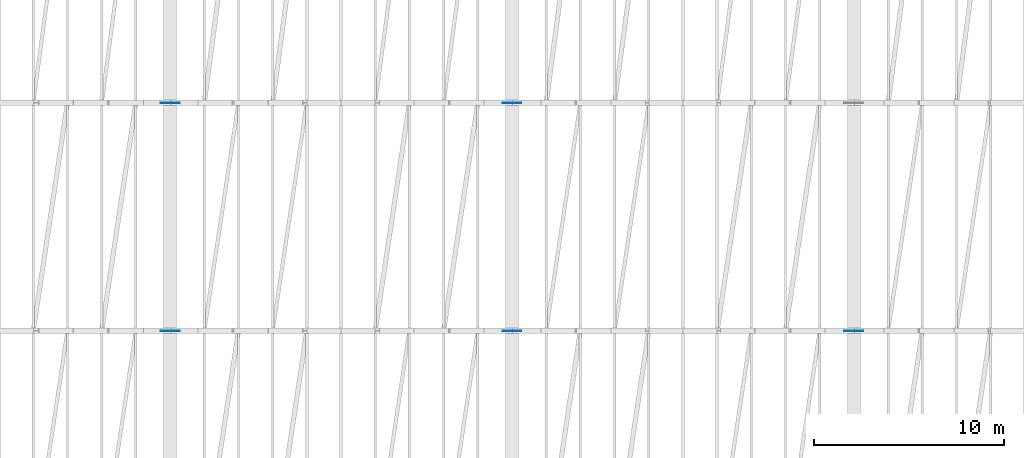
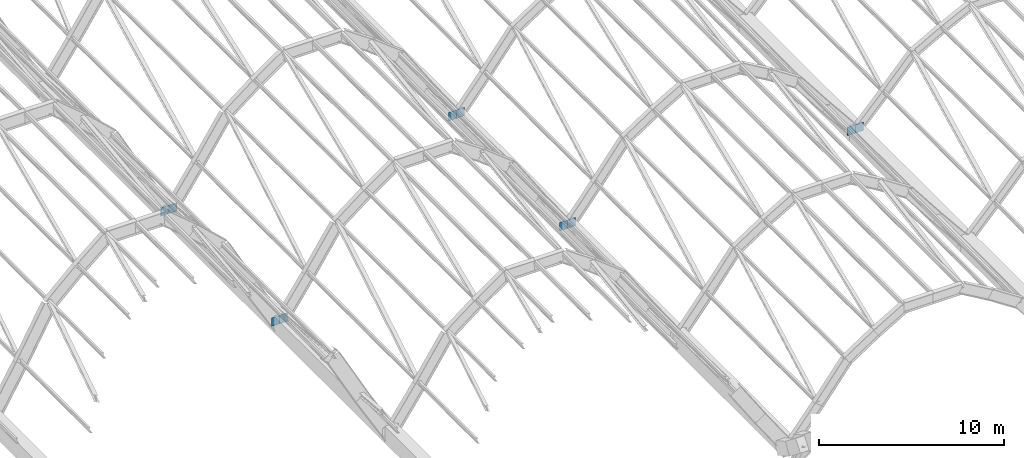
# One storey, part 67 of 86: 10 plates.
"""IFC4 building model written with IfcOpenShell, lengths in metres."""

from ifc_helpers import new_model, si_unit, direction, frame, origin, origin_2d, place, context, subcontext, project, spatial, rectangle, extrude, material, layer, layer_set, type_object, element, save


model = new_model("IFC4")

# Units and contexts
model_context = context("Model", 3, precision=1e-05, world=origin(), true_north=direction((0.0, 1.0)))
body_context = subcontext(model_context, "Body", "Model", "MODEL_VIEW")
ifc_project = project(units=[si_unit("LENGTHUNIT", "METRE"), si_unit("AREAUNIT", "SQUARE_METRE"), si_unit("VOLUMEUNIT", "CUBIC_METRE"), si_unit("PLANEANGLEUNIT", "RADIAN"), si_unit("MASSUNIT", "GRAM", prefix="KILO")], contexts=[model_context])

# Site, building, storey
site_placement = place(None, origin())
site = spatial("IfcSite", under=ifc_project, at=site_placement, CompositionType="ELEMENT")
building_placement = place(site_placement, origin())
building = spatial("IfcBuilding", under=site, at=building_placement, Name="Chuanluo Vaults Station", CompositionType="ELEMENT")
storey_placement = place(building_placement, frame((0.0, 0.0, 14.39990234375)))
storey = spatial("IfcBuildingStorey", under=building, at=storey_placement, Name="L03", CompositionType="ELEMENT", Elevation=14.39990234375)

# Plates
ifc_material = material(Name="Steel Q390C", Category="steel")
ifc_layer = layer(ifc_material, 0.028076171875)
ifc_layer_set = layer_set([ifc_layer], Name="Steel Q390C")
plate_type = type_object("IfcPlateType", Name="PLT-GUS-28", PredefinedType="USERDEFINED", material=ifc_layer_set)
for number, where, z_axis, x_axis, name in (
    (1, (71.75, 42.0, -0.875), (0.0, 0.0, 1.0), (1.0, 0.0, 0.0), "Vault V4 skewback node plate 3-E"),
    (2, (71.75, 54.0, -0.875), (0.0, 0.0, 1.0), (1.0, 0.0, 0.0), "Vault V4 skewback node plate 4-E"),
    (3, (72.25, 42.0, -0.875), (0.0, 0.0, 1.0), (1.0, 0.0, 0.0), "Vault V5 skewback node plate 3-W"),
    (4, (89.75, 42.0, -0.875), (0.0, 0.0, 1.0), (1.0, 0.0, 0.0), "Vault V5 skewback node plate 3-E"),
    (5, (72.25, 54.0, -0.875), (0.0, 0.0, 1.0), (1.0, 0.0, 0.0), "Vault V5 skewback node plate 4-W"),
    (6, (89.75, 54.0, -0.875), (0.0, 0.0, 1.0), (1.0, 0.0, 0.0), "Vault V5 skewback node plate 4-E"),
    (7, (90.25, 42.0, -0.875), (0.0, 0.0, 1.0), (1.0, 0.0, 0.0), "Vault V6 skewback node plate 3-W"),
    (8, (107.75, 42.0, -0.875), (0.0, 0.0, 1.0), (1.0, 0.0, 0.0), "Vault V6 skewback node plate 3-E"),
    (9, (90.25, 54.0, -0.875), (0.0, 0.0, 1.0), (1.0, 0.0, 0.0), "Vault V6 skewback node plate 4-W"),
    (10, (108.25, 42.0, -0.875), (0.0, 0.0, 1.0), (1.0, 0.0, 0.0), "Vault V7 skewback node plate 3-W"),
):
    element("IfcPlate", number, at=place(storey_placement, frame(where, z_axis=z_axis, x_axis=x_axis)), inside=storey, type_object=plate_type, Name=name, ObjectType="GUSSET_PLATE", PredefinedType="USERDEFINED", context=body_context, shape_type="SweptSolid", body=[
        extrude(rectangle(XDim=0.5, YDim=0.028076171875, at=origin_2d()), origin(), (0.0, 0.0, 1.0), 0.550048828125),
    ])

save(model, "model.ifc")
